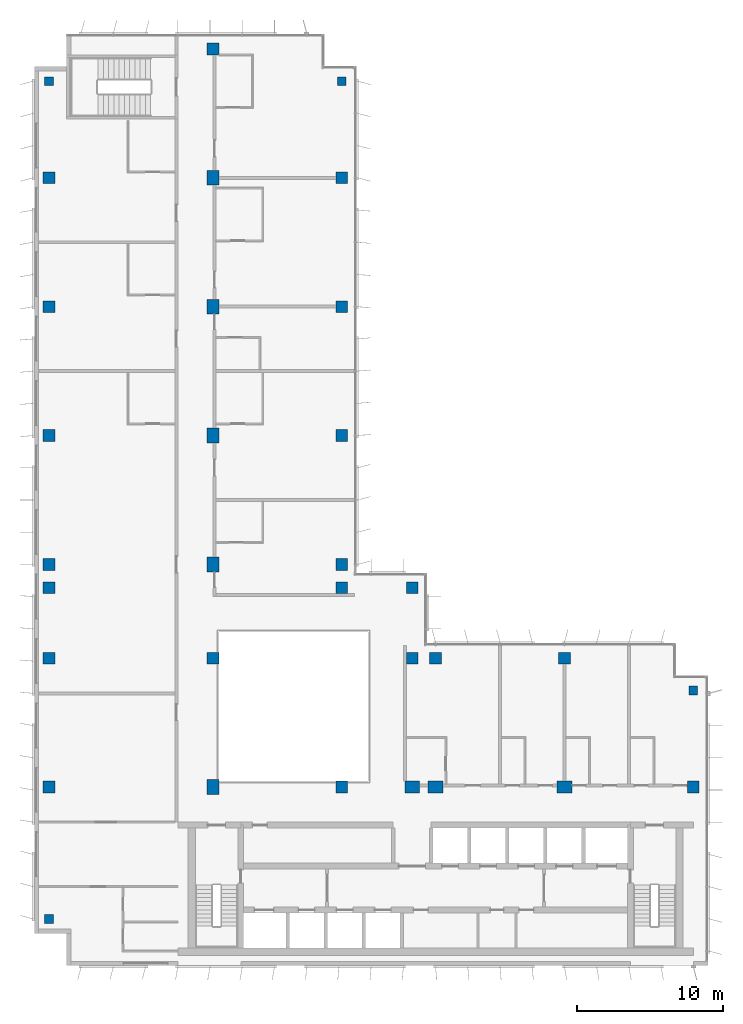
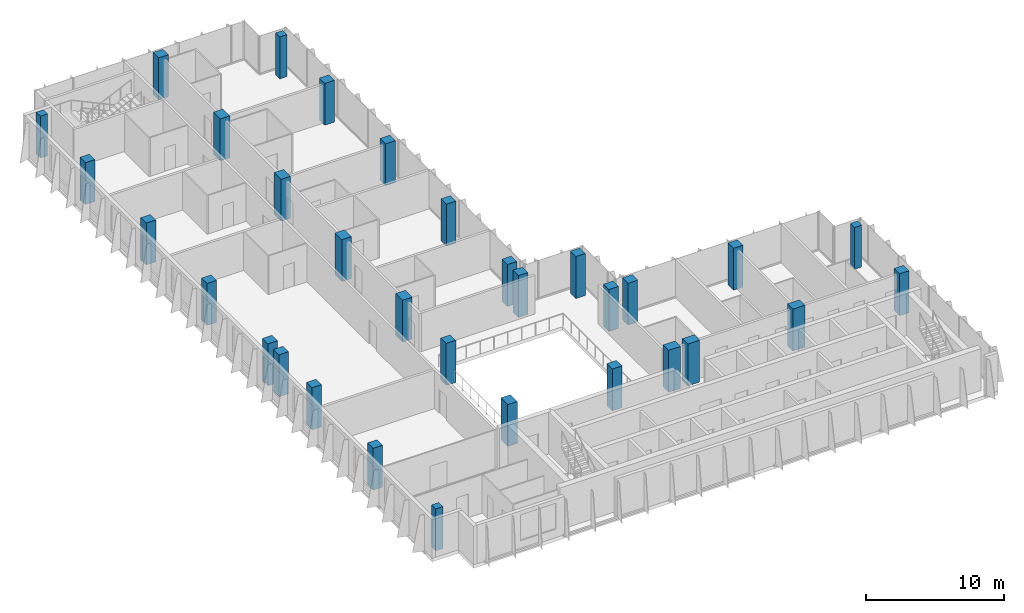
# One storey, part 1 of 15: 32 columns.
"""IFC4 building model written with IfcOpenShell, lengths in metres."""

from ifc_helpers import new_model, si_unit, direction, frame, origin, origin_2d, place, context, subcontext, project, spatial, rectangle, extrude, material, material_profile, profile_set, type_object, element, save


model = new_model("IFC4")

# Units and contexts
model_context = context("Model", 3, precision=1e-05, world=origin(), true_north=direction((0.0, 1.0)))
body_context = subcontext(model_context, "Body", "Model", "MODEL_VIEW")
ifc_project = project(units=[si_unit("LENGTHUNIT", "METRE"), si_unit("AREAUNIT", "SQUARE_METRE"), si_unit("VOLUMEUNIT", "CUBIC_METRE"), si_unit("PLANEANGLEUNIT", "RADIAN"), si_unit("MASSUNIT", "GRAM", prefix="KILO")], contexts=[model_context])

# Site, building, storey
site_placement = place(None, origin())
site = spatial("IfcSite", under=ifc_project, at=site_placement, CompositionType="ELEMENT")
building_placement = place(site_placement, origin())
building = spatial("IfcBuilding", under=site, at=building_placement, Name="Kemantara Hotel Tower", CompositionType="ELEMENT")
storey_placement = place(building_placement, frame((0.0, 0.0, 298.10009765625)))
storey = spatial("IfcBuildingStorey", under=building, at=storey_placement, Name="L75", CompositionType="ELEMENT", Elevation=298.10009765625)

# Columns
ifc_material = material(Name="Concrete fc 50 MPa", Category="concrete")
ifc_material_profile_1 = material_profile(ifc_material, rectangle(XDim=1.0, YDim=0.800048828125, at=origin_2d()), Name="RC 1000X800")
ifc_profile_set_1 = profile_set([ifc_material_profile_1], Name="Concrete fc 50 MPa")
column_type_1 = type_object("IfcColumnType", Name="RC COLUMN 1000X800 FC50", PredefinedType="COLUMN", material=ifc_profile_set_1)
for number, where, z_axis, x_axis, name in (
    (1, (12.199951171875, 12.199951171875, 0.0), (0.0, 0.0, 1.0), (0.0, 1.0, 0.0), "COLUMN 2A/BA L75"),
    (2, (12.199951171875, 27.39990234375, 0.0), (0.0, 0.0, 1.0), (0.0, 1.0, 0.0), "COLUMN 2A/D L75"),
    (3, (12.199951171875, 36.199951171875, 0.0), (0.0, 0.0, 1.0), (0.0, 1.0, 0.0), "COLUMN 2A/E L75"),
    (4, (12.199951171875, 45.0, 0.0), (0.0, 0.0, 1.0), (0.0, 1.0, 0.0), "COLUMN 2A/F L75"),
    (5, (12.199951171875, 53.800048828125, 0.0), (0.0, 0.0, 1.0), (0.0, 1.0, 0.0), "COLUMN 2A/G L75"),
    (6, (25.800048828125, 12.199951171875, 0.0), (0.0, 0.0, 1.0), (1.0, 0.0, 0.0), "COLUMN 3A/BA L75"),
    (7, (27.39990234375, 12.199951171875, 0.0), (0.0, 0.0, 1.0), (1.0, 0.0, 0.0), "COLUMN 4/BA L75"),
    (8, (36.199951171875, 12.199951171875, 0.0), (0.0, 0.0, 1.0), (1.0, 0.0, 0.0), "COLUMN 5/BA L75"),
):
    element("IfcColumn", number, at=place(storey_placement, frame(where, z_axis=z_axis, x_axis=x_axis)), inside=storey, type_object=column_type_1, Name=name, PredefinedType="COLUMN", context=body_context, shape_type="SweptSolid", body=[
        extrude(rectangle(XDim=1.0, YDim=0.800048828125, at=origin_2d()), origin(), (0.0, 0.0, 1.0), 3.699951171875),
    ])
ifc_material_profile_2 = material_profile(ifc_material, rectangle(XDim=0.60009765625, YDim=0.60009765625, at=origin_2d()), Name="RC 600X600")
ifc_profile_set_2 = profile_set([ifc_material_profile_2], Name="Concrete fc 50 MPa")
column_type_2 = type_object("IfcColumnType", Name="RC COLUMN 600X600 FC50", PredefinedType="COLUMN", material=ifc_profile_set_2)
for number, where, z_axis, x_axis, name in (
    (9, (1.0, 3.199951171875, 0.0), (0.0, 0.0, 1.0), (1.0, 0.0, 0.0), "COLUMN notch corner L75"),
    (10, (1.0, 60.39990234375, 0.0), (0.0, 0.0, 1.0), (1.0, 0.0, 0.0), "COLUMN notch corner L75"),
    (11, (21.0, 60.39990234375, 0.0), (0.0, 0.0, 1.0), (1.0, 0.0, 0.0), "COLUMN notch corner L75"),
    (12, (45.0, 18.800048828125, 0.0), (0.0, 0.0, 1.0), (1.0, 0.0, 0.0), "COLUMN notch corner L75"),
):
    element("IfcColumn", number, at=place(storey_placement, frame(where, z_axis=z_axis, x_axis=x_axis)), inside=storey, type_object=column_type_2, Name=name, PredefinedType="COLUMN", context=body_context, shape_type="SweptSolid", body=[
        extrude(rectangle(XDim=0.60009765625, YDim=0.60009765625, at=origin_2d()), origin(), (0.0, 0.0, 1.0), 3.699951171875),
    ])
ifc_material_profile_3 = material_profile(ifc_material, rectangle(XDim=0.800048828125, YDim=0.800048828125, at=origin_2d()), Name="RC 800X800")
ifc_profile_set_3 = profile_set([ifc_material_profile_3], Name="Concrete fc 50 MPa")
column_type_3 = type_object("IfcColumnType", Name="RC COLUMN 800X800 FC50", PredefinedType="COLUMN", material=ifc_profile_set_3)
for number, where, z_axis, x_axis, name in (
    (13, (1.0, 12.199951171875, 0.0), (0.0, 0.0, 1.0), (1.0, 0.0, 0.0), "COLUMN 1/BA L75"),
    (14, (1.0, 21.0, 0.0), (0.0, 0.0, 1.0), (1.0, 0.0, 0.0), "COLUMN 1/C L75"),
    (15, (1.0, 25.800048828125, 0.0), (0.0, 0.0, 1.0), (1.0, 0.0, 0.0), "COLUMN 1/CA L75"),
    (16, (1.0, 27.39990234375, 0.0), (0.0, 0.0, 1.0), (1.0, 0.0, 0.0), "COLUMN 1/D L75"),
    (17, (1.0, 36.199951171875, 0.0), (0.0, 0.0, 1.0), (1.0, 0.0, 0.0), "COLUMN 1/E L75"),
    (18, (1.0, 45.0, 0.0), (0.0, 0.0, 1.0), (1.0, 0.0, 0.0), "COLUMN 1/F L75"),
    (19, (1.0, 53.800048828125, 0.0), (0.0, 0.0, 1.0), (1.0, 0.0, 0.0), "COLUMN 1/G L75"),
    (20, (12.199951171875, 21.0, 0.0), (0.0, 0.0, 1.0), (1.0, 0.0, 0.0), "COLUMN 2A/C L75"),
    (21, (12.199951171875, 62.60009765625, 0.0), (0.0, 0.0, 1.0), (1.0, 0.0, 0.0), "COLUMN 2A/H L75"),
    (22, (21.0, 12.199951171875, 0.0), (0.0, 0.0, 1.0), (1.0, 0.0, 0.0), "COLUMN 3/BA L75"),
    (23, (21.0, 25.800048828125, 0.0), (0.0, 0.0, 1.0), (1.0, 0.0, 0.0), "COLUMN 3/CA L75"),
    (24, (21.0, 27.39990234375, 0.0), (0.0, 0.0, 1.0), (1.0, 0.0, 0.0), "COLUMN 3/D L75"),
    (25, (21.0, 36.199951171875, 0.0), (0.0, 0.0, 1.0), (1.0, 0.0, 0.0), "COLUMN 3/E L75"),
    (26, (21.0, 45.0, 0.0), (0.0, 0.0, 1.0), (1.0, 0.0, 0.0), "COLUMN 3/F L75"),
    (27, (21.0, 53.800048828125, 0.0), (0.0, 0.0, 1.0), (1.0, 0.0, 0.0), "COLUMN 3/G L75"),
    (28, (25.800048828125, 21.0, 0.0), (0.0, 0.0, 1.0), (1.0, 0.0, 0.0), "COLUMN 3A/C L75"),
    (29, (25.800048828125, 25.800048828125, 0.0), (0.0, 0.0, 1.0), (1.0, 0.0, 0.0), "COLUMN 3A/CA L75"),
    (30, (27.39990234375, 21.0, 0.0), (0.0, 0.0, 1.0), (1.0, 0.0, 0.0), "COLUMN 4/C L75"),
    (31, (36.199951171875, 21.0, 0.0), (0.0, 0.0, 1.0), (1.0, 0.0, 0.0), "COLUMN 5/C L75"),
    (32, (45.0, 12.199951171875, 0.0), (0.0, 0.0, 1.0), (1.0, 0.0, 0.0), "COLUMN 6/BA L75"),
):
    element("IfcColumn", number, at=place(storey_placement, frame(where, z_axis=z_axis, x_axis=x_axis)), inside=storey, type_object=column_type_3, Name=name, PredefinedType="COLUMN", context=body_context, shape_type="SweptSolid", body=[
        extrude(rectangle(XDim=0.800048828125, YDim=0.800048828125, at=origin_2d()), origin(), (0.0, 0.0, 1.0), 3.699951171875),
    ])

save(model, "model.ifc")
